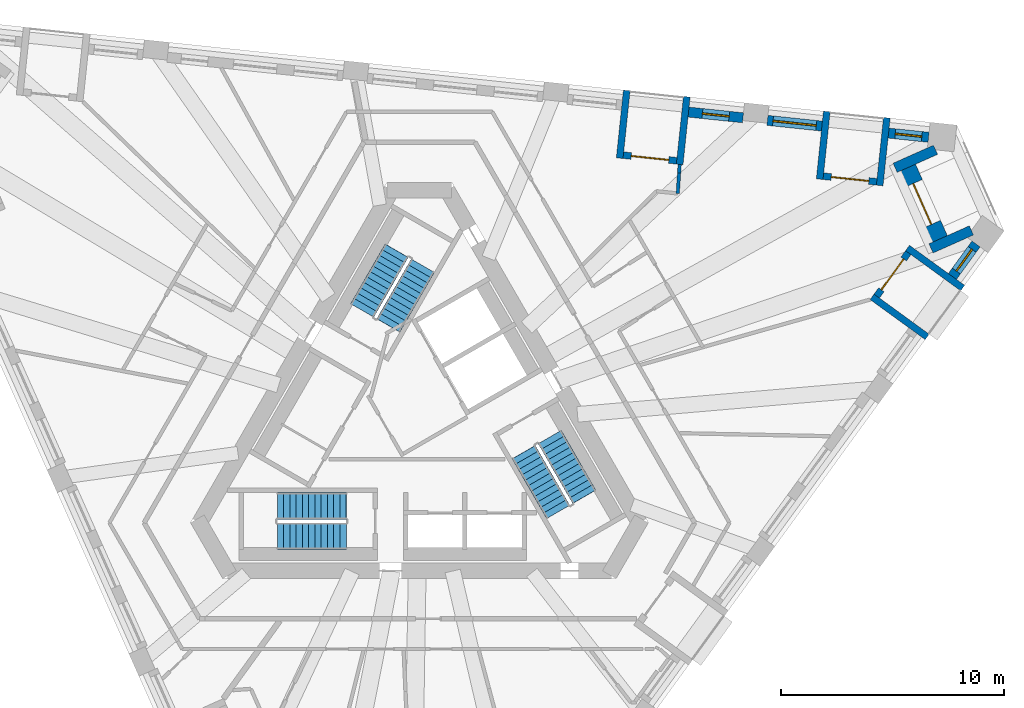
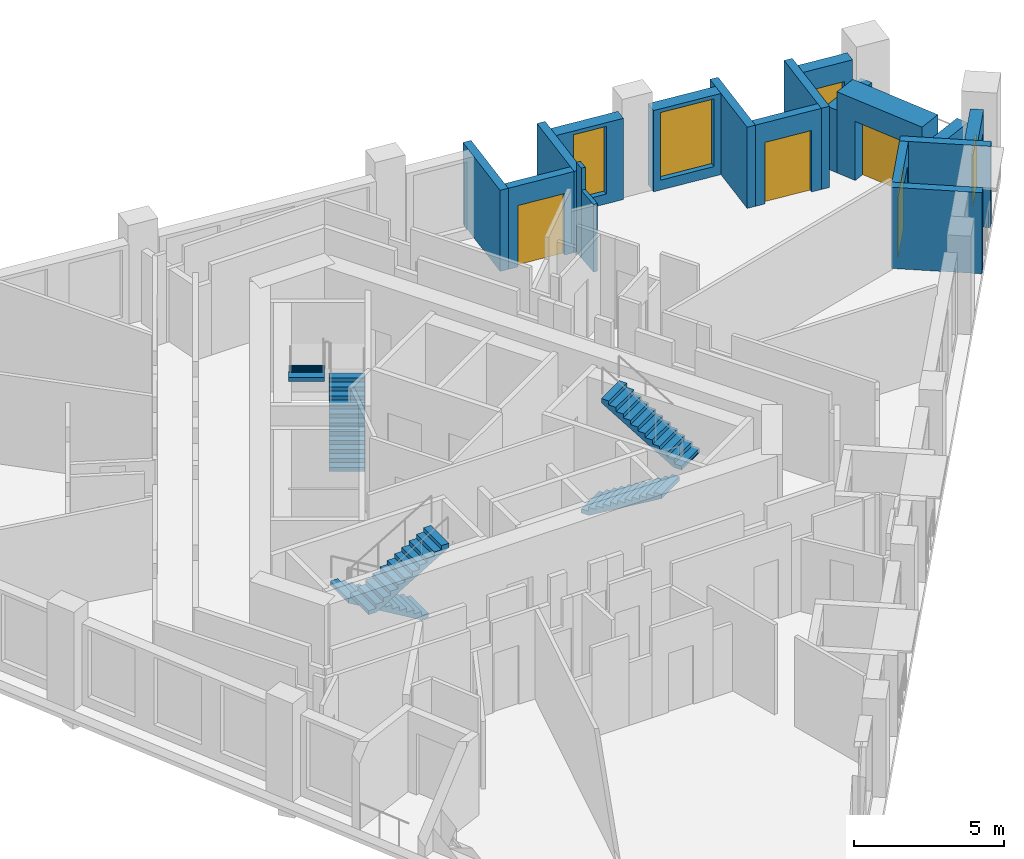
# One storey, part 8 of 11: 18 walls, 6 stair flights, 4 doors, 4 windows, 8 openings, 3 elements without a shape of their own.
"""IFC4 building model written with IfcOpenShell, lengths in metres."""

from ifc_helpers import new_model, si_unit, direction, frame, frame_2d, origin, place, context, subcontext, project, spatial, polyline, rectangle, outline, extrude, material, layer, layer_set, type_object, element, fill, aggregate, save


model = new_model("IFC4")

# Units and contexts
model_context = context("Model", 3, precision=1e-05, world=origin(), true_north=direction((0.0, 1.0)))
body_context = subcontext(model_context, "Body", "Model", "MODEL_VIEW")
ifc_project = project(units=[si_unit("LENGTHUNIT", "METRE"), si_unit("AREAUNIT", "SQUARE_METRE"), si_unit("VOLUMEUNIT", "CUBIC_METRE"), si_unit("PLANEANGLEUNIT", "RADIAN"), si_unit("MASSUNIT", "GRAM", prefix="KILO")], contexts=[model_context])

# Site, building, storey
site_placement = place(None, origin())
site = spatial("IfcSite", under=ifc_project, at=site_placement, CompositionType="ELEMENT")
building_placement = place(site_placement, origin())
building = spatial("IfcBuilding", under=site, at=building_placement, Name="Tramontana Tower", CompositionType="ELEMENT")
storey_placement = place(building_placement, frame((0.0, 0.0, 257.199951171875)))
storey = spatial("IfcBuildingStorey", under=building, at=storey_placement, Name="L60", CompositionType="ELEMENT", Elevation=257.199951171875)

# Wall, opening, window
ifc_material_1 = material(Name="Precast concrete 60 MPa", Category="concrete")
ifc_layer_1 = layer(ifc_material_1, 0.449951171875)
ifc_layer_set_1 = layer_set([ifc_layer_1], Name="Precast concrete 60 MPa, 450 mm")
wall_type_1 = type_object("IfcWallType", Name="EW1 Stone-faced precast wall 450", PredefinedType="SOLIDWALL", material=ifc_layer_set_1)
wall_1_placement = place(storey_placement, frame((23.868408203125, 6.77978515625, 0.0), z_axis=(0.0, 0.0, 1.0), x_axis=(0.587793056764, 0.809011324037, 0.0)))
wall_1 = element("IfcWall", 1, at=wall_1_placement, inside=storey, type_object=wall_type_1, Name="External wall L60 face 1 bay 5", PredefinedType="SOLIDWALL", context=body_context, shape_type="SweptSolid", body=[
    extrude(rectangle(XDim=1.80224609375, YDim=0.449951171875, at=frame_2d((0.901123046875, 0.0))), origin(), (0.0, 0.0, 1.0), 3.300048828125),
])
opening_1_placement = place(wall_1_placement, frame((0.301025390625, 0.0, 0.39990234375)))
opening_1 = element("IfcOpeningElement", 2, at=opening_1_placement, cuts=wall_1, Name="Opening N3L", PredefinedType="OPENING", context=body_context, shape_type="SweptSolid", body=[
    extrude(rectangle(XDim=1.199951171875, YDim=2.10009765625, at=frame_2d((0.60009765625, 1.050048828125))), frame((0.0, 0.23486328125, 0.0), z_axis=(0.0, -1.0, 0.0), x_axis=(1.0, 0.0, 0.0)), (0.0, 0.0, 1.0), 0.469970703125),
])
ifc_material_2 = material(Name="Aluminum frame, double glazing unit", Category="aluminium")
window_type_1 = type_object("IfcWindowType", Name="N3L Window 1.2 x 2.1", PartitioningType="SINGLE_PANEL", PredefinedType="WINDOW", material=ifc_material_2)
window_1_placement = place(opening_1_placement, origin())
window_1 = element("IfcWindow", 3, at=window_1_placement, inside=storey, type_object=window_type_1, Name="Window N3L L60 face 1 module 15", OverallHeight=2.10009765625, OverallWidth=1.199951171875, PartitioningType="SINGLE_PANEL", PredefinedType="WINDOW", context=body_context, shape_type="SweptSolid", body=[
    extrude(rectangle(XDim=1.199951171875, YDim=2.10009765625, at=frame_2d((0.60009765625, 1.050048828125))), frame((0.0, 0.030029296875, 0.0), z_axis=(0.0, -1.0, 0.0), x_axis=(1.0, 0.0, 0.0)), (0.0, 0.0, 1.0), 0.06005859375),
])
fill(opening_1, window_1)

wall_2_placement = place(storey_placement, frame((22.8017578125, 13.012939453125, 0.0), z_axis=(0.0, 0.0, 1.0), x_axis=(-0.994529922737, 0.104452059724, 0.0)))
wall_2 = element("IfcWall", 4, at=wall_2_placement, inside=storey, type_object=wall_type_1, Name="External wall L60 face 2 bay 1", PredefinedType="SOLIDWALL", context=body_context, shape_type="SweptSolid", body=[
    extrude(rectangle(XDim=1.802001953125, YDim=0.449951171875, at=frame_2d((0.90087890625, 0.0))), origin(), (0.0, 0.0, 1.0), 3.300048828125),
])
opening_2_placement = place(wall_2_placement, frame((0.301025390625, 0.0, 0.39990234375)))
opening_2 = element("IfcOpeningElement", 5, at=opening_2_placement, cuts=wall_2, Name="Opening N3L", PredefinedType="OPENING", context=body_context, shape_type="SweptSolid", body=[
    extrude(rectangle(XDim=1.199951171875, YDim=2.10009765625, at=frame_2d((0.60009765625, 1.050048828125))), frame((0.0, 0.23486328125, 0.0), z_axis=(0.0, -1.0, 0.0), x_axis=(1.0, 0.0, 0.0)), (0.0, 0.0, 1.0), 0.469970703125),
])
window_2_placement = place(opening_2_placement, origin())
window_2 = element("IfcWindow", 6, at=window_2_placement, inside=storey, type_object=window_type_1, Name="Window N3L L60 face 2 module 1", OverallHeight=2.10009765625, OverallWidth=1.199951171875, PartitioningType="SINGLE_PANEL", PredefinedType="WINDOW", context=body_context, shape_type="SweptSolid", body=[
    extrude(rectangle(XDim=1.199951171875, YDim=2.10009765625, at=frame_2d((0.60009765625, 1.050048828125))), frame((0.0, 0.030029296875, 0.0), z_axis=(0.0, -1.0, 0.0), x_axis=(1.0, 0.0, 0.0)), (0.0, 0.0, 1.0), 0.06005859375),
])
fill(opening_2, window_2)

wall_3_placement = place(storey_placement, frame((18.023681640625, 13.51513671875, 0.0), z_axis=(0.0, 0.0, 1.0), x_axis=(-0.994520717537, 0.104539668977, 0.0)))
wall_3 = element("IfcWall", 7, at=wall_3_placement, inside=storey, type_object=wall_type_1, Name="External wall L60 face 2 bay 1", PredefinedType="SOLIDWALL", context=body_context, shape_type="SweptSolid", body=[
    extrude(rectangle(XDim=2.4521484375, YDim=0.449951171875, at=frame_2d((1.22607421875, 0.0))), origin(), (0.0, 0.0, 1.0), 3.300048828125),
])
opening_3_placement = place(wall_3_placement, frame((0.251220703125, 0.0, 0.39990234375)))
opening_3 = element("IfcOpeningElement", 8, at=opening_3_placement, cuts=wall_3, Name="Opening M3", PredefinedType="OPENING", context=body_context, shape_type="SweptSolid", body=[
    extrude(rectangle(XDim=1.949951171875, YDim=2.75, at=frame_2d((0.97509765625, 1.375))), frame((0.0, 0.23486328125, 0.0), z_axis=(0.0, -1.0, 0.0), x_axis=(1.0, 0.0, 0.0)), (0.0, 0.0, 1.0), 0.469970703125),
])
ifc_material_3 = material(Name="Aluminum frame, double glazing unit", Category="aluminium")
window_type_2 = type_object("IfcWindowType", Name="M3 Window 1.95 x 2.75", PartitioningType="SINGLE_PANEL", PredefinedType="WINDOW", material=ifc_material_3)
window_3_placement = place(opening_3_placement, origin())
window_3 = element("IfcWindow", 9, at=window_3_placement, inside=storey, type_object=window_type_2, Name="Window M3 L60 face 2 module 3", OverallHeight=2.75, OverallWidth=1.949951171875, PartitioningType="SINGLE_PANEL", PredefinedType="WINDOW", context=body_context, shape_type="SweptSolid", body=[
    extrude(rectangle(XDim=1.949951171875, YDim=2.75, at=frame_2d((0.97509765625, 1.375))), frame((0.0, 0.030029296875, 0.0), z_axis=(0.0, -1.0, 0.0), x_axis=(1.0, 0.0, 0.0)), (0.0, 0.0, 1.0), 0.06005859375),
])
fill(opening_3, window_3)

wall_4_placement = place(storey_placement, frame((14.490966796875, 13.886474609375, 0.0), z_axis=(0.0, 0.0, 1.0), x_axis=(-0.99453214974, 0.104430853361, 0.0)))
wall_4 = element("IfcWall", 10, at=wall_4_placement, inside=storey, type_object=wall_type_1, Name="External wall L60 face 2 bay 2", PredefinedType="SOLIDWALL", context=body_context, shape_type="SweptSolid", body=[
    extrude(rectangle(XDim=2.452392578125, YDim=0.449951171875, at=frame_2d((1.22607421875, 0.0))), origin(), (0.0, 0.0, 1.0), 3.300048828125),
])
opening_4_placement = place(wall_4_placement, frame((0.626220703125, 0.0, 0.39990234375)))
opening_4 = element("IfcOpeningElement", 11, at=opening_4_placement, cuts=wall_4, Name="Opening N3", PredefinedType="OPENING", context=body_context, shape_type="SweptSolid", body=[
    extrude(rectangle(XDim=1.199951171875, YDim=2.75, at=frame_2d((0.60009765625, 1.375))), frame((0.0, 0.23486328125, 0.0), z_axis=(0.0, -1.0, 0.0), x_axis=(1.0, 0.0, 0.0)), (0.0, 0.0, 1.0), 0.469970703125),
])
ifc_material_4 = material(Name="Aluminum frame, double glazing unit", Category="aluminium")
window_type_3 = type_object("IfcWindowType", Name="N3 Window 1.2 x 2.75", PartitioningType="SINGLE_PANEL", PredefinedType="WINDOW", material=ifc_material_4)
window_4_placement = place(opening_4_placement, origin())
window_4 = element("IfcWindow", 12, at=window_4_placement, inside=storey, type_object=window_type_3, Name="Window N3 L60 face 2 module 4", OverallHeight=2.75, OverallWidth=1.199951171875, PartitioningType="SINGLE_PANEL", PredefinedType="WINDOW", context=body_context, shape_type="SweptSolid", body=[
    extrude(rectangle(XDim=1.199951171875, YDim=2.75, at=frame_2d((0.60009765625, 1.375))), frame((0.0, 0.030029296875, 0.0), z_axis=(0.0, -1.0, 0.0), x_axis=(1.0, 0.0, 0.0)), (0.0, 0.0, 1.0), 0.06005859375),
])
fill(opening_4, window_4)

# Walls
for number, where, z_axis, x_axis, name in (
    (13, (23.112548828125, 12.452392578125, 0.0), (0.0, 0.0, 1.0), (-0.913516289312, -0.406802149899, 0.0), "Corner loggia side wall L60 K62l"),
    (14, (24.71923828125, 8.84375, 0.0), (0.0, 0.0, 1.0), (-0.913562124494, -0.406699206651, 0.0), "Corner loggia side wall L60 K62r"),
):
    element("IfcWall", number, at=place(storey_placement, frame(where, z_axis=z_axis, x_axis=x_axis)), inside=storey, type_object=wall_type_1, Name=name, PredefinedType="SOLIDWALL", context=body_context, shape_type="SweptSolid", body=[
        extrude(rectangle(XDim=1.979248046875, YDim=0.449951171875, at=frame_2d((0.98974609375, 0.0))), origin(), (0.0, 0.0, 1.0), 2.550048828125),
    ])

# Wall, opening, door
ifc_material_5 = material(Name="Precast concrete 60 MPa", Category="concrete")
ifc_layer_2 = layer(ifc_material_5, 0.89990234375)
ifc_layer_set_2 = layer_set([ifc_layer_2], Name="EW2 Stone-faced corner loggia wall 900")
wall_type_2 = type_object("IfcWallType", Name="EW2 Stone-faced corner loggia wall 900", PredefinedType="SOLIDWALL", material=ifc_layer_set_2)
wall_5_placement = place(storey_placement, frame((21.80712890625, 11.624755859375, 0.0), z_axis=(0.0, 0.0, 1.0), x_axis=(0.406727323635, -0.913549606868, 0.0)))
wall_5 = element("IfcWall", 15, at=wall_5_placement, inside=storey, type_object=wall_type_2, Name="Corner loggia wall L60 K62", PredefinedType="SOLIDWALL", context=body_context, shape_type="SweptSolid", body=[
    extrude(rectangle(XDim=3.5, YDim=0.89990234375, at=frame_2d((1.75, 0.0))), origin(), (0.0, 0.0, 1.0), 3.300048828125),
])
opening_5_placement = place(wall_5_placement, frame((0.75, 0.0, 0.0)))
opening_5 = element("IfcOpeningElement", 16, at=opening_5_placement, cuts=wall_5, Name="Opening BD-62C", PredefinedType="OPENING", context=body_context, shape_type="SweptSolid", body=[
    extrude(rectangle(XDim=2.0, YDim=2.39990234375, at=frame_2d((1.0, 1.199951171875))), frame((0.0, 0.4599609375, 0.0), z_axis=(0.0, -1.0, 0.0), x_axis=(1.0, 0.0, 0.0)), (0.0, 0.0, 1.0), 0.919921875),
])
ifc_material_6 = material(Name="Aluminum frame, double glazing unit", Category="aluminium")
door_type_1 = type_object("IfcDoorType", Name="BC1 Sliding door 2 x 2.4", OperationType="SLIDING_TO_LEFT", PredefinedType="DOOR", material=ifc_material_6)
door_1_placement = place(opening_5_placement, origin())
door_1 = element("IfcDoor", 17, at=door_1_placement, inside=storey, type_object=door_type_1, Name="Corner loggia door L60 K62", OperationType="SLIDING_TO_LEFT", OverallHeight=2.39990234375, OverallWidth=2.0, PredefinedType="DOOR", context=body_context, shape_type="SweptSolid", body=[
    extrude(rectangle(XDim=2.0, YDim=2.39990234375, at=frame_2d((1.0, 1.199951171875))), frame((0.0, 0.02490234375, 0.0), z_axis=(0.0, -1.0, 0.0), x_axis=(1.0, 0.0, 0.0)), (0.0, 0.0, 1.0), 0.050048828125),
])
fill(opening_5, door_1)

ifc_material_7 = material(Name="Precast concrete 60 MPa", Category="concrete")
ifc_layer_3 = layer(ifc_material_7, 0.300048828125)
ifc_layer_set_3 = layer_set([ifc_layer_3], Name="LW1 Stone-faced loggia wall 300")
wall_type_3 = type_object("IfcWallType", Name="LW1 Stone-faced loggia wall 300", PredefinedType="SOLIDWALL", material=ifc_layer_set_3)
wall_6_placement = place(storey_placement, frame((20.47998046875, 5.9013671875, 0.0), z_axis=(0.0, 0.0, 1.0), x_axis=(0.587833242688, 0.808982125137, 0.0)))
wall_6 = element("IfcWall", 18, at=wall_6_placement, inside=storey, type_object=wall_type_3, Name="Loggia wall L60 G6S1.13", PredefinedType="SOLIDWALL", context=body_context, shape_type="SweptSolid", body=[
    extrude(rectangle(XDim=2.40234375, YDim=0.300048828125, at=frame_2d((1.201171875, 0.0))), origin(), (0.0, 0.0, 1.0), 3.300048828125),
])
opening_6_placement = place(wall_6_placement, frame((0.35107421875, 0.0, 0.0)))
opening_6 = element("IfcOpeningElement", 19, at=opening_6_placement, cuts=wall_6, Name="Opening BD-6S1-13", PredefinedType="OPENING", context=body_context, shape_type="SweptSolid", body=[
    extrude(rectangle(XDim=1.699951171875, YDim=2.5, at=frame_2d((0.85009765625, 1.25))), frame((0.0, 0.159912109375, 0.0), z_axis=(0.0, -1.0, 0.0), x_axis=(1.0, 0.0, 0.0)), (0.0, 0.0, 1.0), 0.320068359375),
])
ifc_material_8 = material(Name="Aluminum frame, double glazing unit", Category="aluminium")
door_type_2 = type_object("IfcDoorType", Name="BD3 Sliding door 1.7 x 2.5", OperationType="SLIDING_TO_LEFT", PredefinedType="DOOR", material=ifc_material_8)
door_2_placement = place(opening_6_placement, origin())
door_2 = element("IfcDoor", 20, at=door_2_placement, inside=storey, type_object=door_type_2, Name="Loggia door L60 G6S1.13", OperationType="SLIDING_TO_LEFT", OverallHeight=2.5, OverallWidth=1.699951171875, PredefinedType="DOOR", context=body_context, shape_type="SweptSolid", body=[
    extrude(rectangle(XDim=1.699951171875, YDim=2.5, at=frame_2d((0.85009765625, 1.25))), frame((0.0, 0.02490234375, 0.0), z_axis=(0.0, -1.0, 0.0), x_axis=(1.0, 0.0, 0.0)), (0.0, 0.0, 1.0), 0.050048828125),
])
fill(opening_6, door_2)

# Walls
for number, where, z_axis, x_axis, name in (
    (21, (22.738037109375, 4.075439453125, 0.0), (0.0, 0.0, 1.0), (-0.80902328748, 0.587776590479, 0.0), "Loggia return L60 G6S1.13a"),
    (22, (24.326416015625, 6.261474609375, 0.0), (0.0, 0.0, 1.0), (-0.808985223782, 0.587828978278, 0.0), "Loggia return L60 G6S1.13b"),
):
    element("IfcWall", number, at=place(storey_placement, frame(where, z_axis=z_axis, x_axis=x_axis)), inside=storey, type_object=wall_type_3, Name=name, PredefinedType="SOLIDWALL", context=body_context, shape_type="SweptSolid", body=[
        extrude(rectangle(XDim=3.050048828125, YDim=0.300048828125, at=frame_2d((1.52490234375, 0.0))), origin(), (0.0, 0.0, 1.0), 3.300048828125),
    ])

# Wall, opening, door
wall_7_placement = place(storey_placement, frame((20.478515625, 11.019775390625, 0.0), z_axis=(0.0, 0.0, 1.0), x_axis=(-0.994517140727, 0.104573690763, 0.0)))
wall_7 = element("IfcWall", 23, at=wall_7_placement, inside=storey, type_object=wall_type_3, Name="Loggia wall L60 G6S2.1", PredefinedType="SOLIDWALL", context=body_context, shape_type="SweptSolid", body=[
    extrude(rectangle(XDim=2.40234375, YDim=0.300048828125, at=frame_2d((1.201171875, 0.0))), origin(), (0.0, 0.0, 1.0), 3.300048828125),
])
opening_7_placement = place(wall_7_placement, frame((0.35107421875, 0.0, 0.0)))
opening_7 = element("IfcOpeningElement", 24, at=opening_7_placement, cuts=wall_7, Name="Opening BD-6S2-01", PredefinedType="OPENING", context=body_context, shape_type="SweptSolid", body=[
    extrude(rectangle(XDim=1.699951171875, YDim=2.5, at=frame_2d((0.85009765625, 1.25))), frame((0.0, 0.159912109375, 0.0), z_axis=(0.0, -1.0, 0.0), x_axis=(1.0, 0.0, 0.0)), (0.0, 0.0, 1.0), 0.320068359375),
])
door_3_placement = place(opening_7_placement, origin())
door_3 = element("IfcDoor", 25, at=door_3_placement, inside=storey, type_object=door_type_2, Name="Loggia door L60 G6S2.1", OperationType="SLIDING_TO_LEFT", OverallHeight=2.5, OverallWidth=1.699951171875, PredefinedType="DOOR", context=body_context, shape_type="SweptSolid", body=[
    extrude(rectangle(XDim=1.699951171875, YDim=2.5, at=frame_2d((0.85009765625, 1.25))), frame((0.0, 0.02490234375, 0.0), z_axis=(0.0, -1.0, 0.0), x_axis=(1.0, 0.0, 0.0)), (0.0, 0.0, 1.0), 0.050048828125),
])
fill(opening_7, door_3)

# Walls
for number, where, z_axis, x_axis, name in (
    (26, (20.930908203125, 13.88818359375, 0.0), (0.0, 0.0, 1.0), (-0.104543108891, -0.994520355942, 0.0), "Loggia return L60 G6S2.1a"),
    (27, (18.243408203125, 14.170654296875, 0.0), (0.0, 0.0, 1.0), (-0.104543108891, -0.994520355942, 0.0), "Loggia return L60 G6S2.1b"),
):
    element("IfcWall", number, at=place(storey_placement, frame(where, z_axis=z_axis, x_axis=x_axis)), inside=storey, type_object=wall_type_3, Name=name, PredefinedType="SOLIDWALL", context=body_context, shape_type="SweptSolid", body=[
        extrude(rectangle(XDim=3.0498046875, YDim=0.300048828125, at=frame_2d((1.52490234375, 0.0))), origin(), (0.0, 0.0, 1.0), 3.300048828125),
    ])

# Wall, opening, door
wall_8_placement = place(storey_placement, frame((11.521240234375, 11.961181640625, 0.0), z_axis=(0.0, 0.0, 1.0), x_axis=(-0.994517140727, 0.104573690763, 0.0)))
wall_8 = element("IfcWall", 28, at=wall_8_placement, inside=storey, type_object=wall_type_3, Name="Loggia wall L60 G6S2.4", PredefinedType="SOLIDWALL", context=body_context, shape_type="SweptSolid", body=[
    extrude(rectangle(XDim=2.40234375, YDim=0.300048828125, at=frame_2d((1.201171875, 0.0))), origin(), (0.0, 0.0, 1.0), 3.300048828125),
])
opening_8_placement = place(wall_8_placement, frame((0.35107421875, 0.0, 0.0)))
opening_8 = element("IfcOpeningElement", 29, at=opening_8_placement, cuts=wall_8, Name="Opening BD-6S2-04", PredefinedType="OPENING", context=body_context, shape_type="SweptSolid", body=[
    extrude(rectangle(XDim=1.699951171875, YDim=2.5, at=frame_2d((0.85009765625, 1.25))), frame((0.0, 0.159912109375, 0.0), z_axis=(0.0, -1.0, 0.0), x_axis=(1.0, 0.0, 0.0)), (0.0, 0.0, 1.0), 0.320068359375),
])
door_4_placement = place(opening_8_placement, origin())
door_4 = element("IfcDoor", 30, at=door_4_placement, inside=storey, type_object=door_type_2, Name="Loggia door L60 G6S2.4", OperationType="SLIDING_TO_LEFT", OverallHeight=2.5, OverallWidth=1.699951171875, PredefinedType="DOOR", context=body_context, shape_type="SweptSolid", body=[
    extrude(rectangle(XDim=1.699951171875, YDim=2.5, at=frame_2d((0.85009765625, 1.25))), frame((0.0, 0.02490234375, 0.0), z_axis=(0.0, -1.0, 0.0), x_axis=(1.0, 0.0, 0.0)), (0.0, 0.0, 1.0), 0.050048828125),
])
fill(opening_8, door_4)

# Walls
for number, where, z_axis, x_axis, name in (
    (31, (11.973388671875, 14.82958984375, 0.0), (0.0, 0.0, 1.0), (-0.104463934444, -0.994528675504, 0.0), "Loggia return L60 G6S2.4a"),
    (32, (9.2861328125, 15.112060546875, 0.0), (0.0, 0.0, 1.0), (-0.104543108891, -0.994520355942, 0.0), "Loggia return L60 G6S2.4b"),
):
    element("IfcWall", number, at=place(storey_placement, frame(where, z_axis=z_axis, x_axis=x_axis)), inside=storey, type_object=wall_type_3, Name=name, PredefinedType="SOLIDWALL", context=body_context, shape_type="SweptSolid", body=[
        extrude(rectangle(XDim=3.0498046875, YDim=0.300048828125, at=frame_2d((1.52490234375, 0.0))), origin(), (0.0, 0.0, 1.0), 3.300048828125),
    ])
ifc_material_9 = material(Name="Gypsum board partition")
ifc_layer_4 = layer(ifc_material_9, 0.14990234375)
ifc_layer_set_4 = layer_set([ifc_layer_4], Name="PARTITION 150")
wall_type_4 = type_object("IfcWallType", Name="PARTITION 150", PredefinedType="PARTITIONING", material=ifc_layer_set_4)
wall_9_placement = place(storey_placement, frame((11.56884765625, 10.5, 0.0), z_axis=(0.0, 0.0, 1.0), x_axis=(0.065954162618, 0.997822653798, 0.0)))
element("IfcWall", 33, at=wall_9_placement, inside=storey, type_object=wall_type_4, Name="Wall v61-pw36-0", PredefinedType="PARTITIONING", context=body_context, shape_type="SweptSolid", body=[
    extrude(rectangle(XDim=0.91796875, YDim=0.14990234375, at=frame_2d((0.458984375, 0.0))), origin(), (0.0, 0.0, 1.0), 2.75),
])
wall_10_placement = place(storey_placement, frame((11.62939453125, 11.416015625, 0.0), z_axis=(0.0, 0.0, 1.0), x_axis=(0.066604022224, 0.997779486772, 0.0)))
element("IfcWall", 34, at=wall_10_placement, inside=storey, type_object=wall_type_4, Name="Wall v61-pw36-1", PredefinedType="PARTITIONING", context=body_context, shape_type="SweptSolid", body=[
    extrude(rectangle(XDim=0.381103515625, YDim=0.14990234375, at=frame_2d((0.1904296875, 0.0))), origin(), (0.0, 0.0, 1.0), 3.650146484375),
])

# Stair, stair flights
ifc_material_10 = material(Name="Concrete 40 MPa", Category="concrete")
stair_type = type_object("IfcStairType", Name="EXIT STAIR 24 RISERS", PredefinedType="HALF_TURN_STAIR", material=ifc_material_10)
stair_1_placement = place(storey_placement, origin())
stair_1 = element("IfcStair", 35, at=stair_1_placement, inside=storey, type_object=stair_type, Name="L60 Exit stair ST1", PredefinedType="HALF_TURN_STAIR")
ifc_material_11 = material(Name="Concrete 40 MPa", Category="concrete")
ifc_layer_5 = layer(ifc_material_11, 0.14990234375)
ifc_layer_set_5 = layer_set([ifc_layer_5], Name="EXIT STAIR FLIGHT")
stair_flight_type = type_object("IfcStairFlightType", Name="EXIT STAIR FLIGHT", PredefinedType="STRAIGHT", material=ifc_layer_set_5)
stair_flight_1_placement = place(storey_placement, frame((-1.39111328125, 4.590576171875, 0.0), z_axis=(0.0, 0.0, 1.0), x_axis=(0.5, 0.866025403784, 0.0)))
stair_flight_1 = element("IfcStairFlight", 36, at=stair_flight_1_placement, type_object=stair_flight_type, Name="ST1 flight 1", NumberOfRisers=12, NumberOfTreads=11, PredefinedType="STRAIGHT", RiserHeight=0.166666667, TreadLength=0.28, context=body_context, shape_type="SweptSolid", body=[
    extrude(outline(polyline([(-0.006103515625, 0.0), (-0.006103515625, 0.0400390625), (0.0, 0.0400390625), (0.0, 0.166748046875), (0.280029296875, 0.166748046875), (0.280029296875, 0.333251953125), (0.56005859375, 0.333251953125), (0.56005859375, 0.5), (0.840087890625, 0.5), (0.840087890625, 0.666748046875), (1.1201171875, 0.666748046875), (1.1201171875, 0.833251953125), (1.39990234375, 0.833251953125), (1.39990234375, 1.0), (1.679931640625, 1.0), (1.679931640625, 1.166748046875), (1.9599609375, 1.166748046875), (1.9599609375, 1.333251953125), (2.239990234375, 1.333251953125), (2.239990234375, 1.5), (2.52001953125, 1.5), (2.52001953125, 1.666748046875), (2.800048828125, 1.666748046875), (2.800048828125, 1.833251953125), (3.080078125, 1.833251953125), (3.0859375, 1.833251953125), (3.0859375, 1.658935546875), (0.299072265625, 0.0), (-0.006103515625, 0.0)])), frame((0.0, 0.60009765625, 0.0), z_axis=(0.0, -1.0, 0.0), x_axis=(1.0, 0.0, 0.0)), (0.0, 0.0, 1.0), 1.199951171875),
])
stair_flight_2_placement = place(storey_placement, frame((-1.020263671875, 7.932861328125, 2.0), z_axis=(0.0, 0.0, 1.0), x_axis=(-0.5, -0.866025403784, 0.0)))
stair_flight_2 = element("IfcStairFlight", 37, at=stair_flight_2_placement, type_object=stair_flight_type, Name="ST1 flight 2", NumberOfRisers=12, NumberOfTreads=11, PredefinedType="STRAIGHT", RiserHeight=0.166666667, TreadLength=0.28, context=body_context, shape_type="SweptSolid", body=[
    extrude(outline(polyline([(-0.006103515625, 0.0), (-0.006103515625, 0.0400390625), (0.0, 0.0400390625), (0.0, 0.166748046875), (0.280029296875, 0.166748046875), (0.280029296875, 0.333251953125), (0.56005859375, 0.333251953125), (0.56005859375, 0.5), (0.840087890625, 0.5), (0.840087890625, 0.666748046875), (1.1201171875, 0.666748046875), (1.1201171875, 0.833251953125), (1.39990234375, 0.833251953125), (1.39990234375, 1.0), (1.679931640625, 1.0), (1.679931640625, 1.166748046875), (1.9599609375, 1.166748046875), (1.9599609375, 1.333251953125), (2.239990234375, 1.333251953125), (2.239990234375, 1.5), (2.52001953125, 1.5), (2.52001953125, 1.666748046875), (2.800048828125, 1.666748046875), (2.800048828125, 1.833251953125), (3.080078125, 1.833251953125), (3.0859375, 1.833251953125), (3.0859375, 1.658935546875), (0.299072265625, 0.0), (-0.006103515625, 0.0)])), frame((0.0, 0.60009765625, 0.0), z_axis=(0.0, -1.0, 0.0), x_axis=(1.0, 0.0, 0.0)), (0.0, 0.0, 1.0), 1.199951171875),
])
aggregate(stair_1, [stair_flight_1, stair_flight_2])

stair_2_placement = place(storey_placement, origin())
stair_2 = element("IfcStair", 38, at=stair_2_placement, inside=storey, type_object=stair_type, Name="L60 Exit stair ST2", PredefinedType="HALF_TURN_STAIR")
stair_flight_3_placement = place(storey_placement, frame((-3.280029296875, -3.5, 0.0), z_axis=(0.0, 0.0, 1.0), x_axis=(-1.0, 0.0, 0.0)))
stair_flight_3 = element("IfcStairFlight", 39, at=stair_flight_3_placement, type_object=stair_flight_type, Name="ST2 flight 1", NumberOfRisers=12, NumberOfTreads=11, PredefinedType="STRAIGHT", RiserHeight=0.166666667, TreadLength=0.28, context=body_context, shape_type="SweptSolid", body=[
    extrude(outline(polyline([(-0.006103515625, 0.0), (-0.006103515625, 0.0400390625), (0.0, 0.0400390625), (0.0, 0.166748046875), (0.280029296875, 0.166748046875), (0.280029296875, 0.333251953125), (0.56005859375, 0.333251953125), (0.56005859375, 0.5), (0.840087890625, 0.5), (0.840087890625, 0.666748046875), (1.1201171875, 0.666748046875), (1.1201171875, 0.833251953125), (1.39990234375, 0.833251953125), (1.39990234375, 1.0), (1.679931640625, 1.0), (1.679931640625, 1.166748046875), (1.9599609375, 1.166748046875), (1.9599609375, 1.333251953125), (2.239990234375, 1.333251953125), (2.239990234375, 1.5), (2.52001953125, 1.5), (2.52001953125, 1.666748046875), (2.800048828125, 1.666748046875), (2.800048828125, 1.833251953125), (3.080078125, 1.833251953125), (3.0859375, 1.833251953125), (3.0859375, 1.658935546875), (0.299072265625, 0.0), (-0.006103515625, 0.0)])), frame((0.0, 0.60009765625, 0.0), z_axis=(0.0, -1.0, 0.0), x_axis=(1.0, 0.0, 0.0)), (0.0, 0.0, 1.0), 1.199951171875),
])
stair_flight_4_placement = place(storey_placement, frame((-6.360107421875, -4.85009765625, 2.0), z_axis=(0.0, 0.0, 1.0), x_axis=(1.0, 0.0, 0.0)))
stair_flight_4 = element("IfcStairFlight", 40, at=stair_flight_4_placement, type_object=stair_flight_type, Name="ST2 flight 2", NumberOfRisers=12, NumberOfTreads=11, PredefinedType="STRAIGHT", RiserHeight=0.166666667, TreadLength=0.28, context=body_context, shape_type="SweptSolid", body=[
    extrude(outline(polyline([(-0.006103515625, 0.0), (-0.006103515625, 0.0400390625), (0.0, 0.0400390625), (0.0, 0.166748046875), (0.280029296875, 0.166748046875), (0.280029296875, 0.333251953125), (0.56005859375, 0.333251953125), (0.56005859375, 0.5), (0.840087890625, 0.5), (0.840087890625, 0.666748046875), (1.1201171875, 0.666748046875), (1.1201171875, 0.833251953125), (1.39990234375, 0.833251953125), (1.39990234375, 1.0), (1.679931640625, 1.0), (1.679931640625, 1.166748046875), (1.9599609375, 1.166748046875), (1.9599609375, 1.333251953125), (2.239990234375, 1.333251953125), (2.239990234375, 1.5), (2.52001953125, 1.5), (2.52001953125, 1.666748046875), (2.800048828125, 1.666748046875), (2.800048828125, 1.833251953125), (3.080078125, 1.833251953125), (3.0859375, 1.833251953125), (3.0859375, 1.658935546875), (0.299072265625, 0.0), (-0.006103515625, 0.0)])), frame((0.0, 0.60009765625, 0.0), z_axis=(0.0, -1.0, 0.0), x_axis=(1.0, 0.0, 0.0)), (0.0, 0.0, 1.0), 1.199951171875),
])
aggregate(stair_2, [stair_flight_3, stair_flight_4])

stair_3_placement = place(storey_placement, origin())
stair_3 = element("IfcStair", 41, at=stair_3_placement, inside=storey, type_object=stair_type, Name="L60 Exit stair ST3", PredefinedType="HALF_TURN_STAIR")
stair_flight_5_placement = place(storey_placement, frame((4.671142578125, -1.090576171875, 0.0), z_axis=(0.0, 0.0, 1.0), x_axis=(0.5, -0.866025403784, 0.0)))
stair_flight_5 = element("IfcStairFlight", 42, at=stair_flight_5_placement, type_object=stair_flight_type, Name="ST3 flight 1", NumberOfRisers=12, NumberOfTreads=11, PredefinedType="STRAIGHT", RiserHeight=0.166666667, TreadLength=0.28, context=body_context, shape_type="SweptSolid", body=[
    extrude(outline(polyline([(-0.006103515625, 0.0), (-0.006103515625, 0.0400390625), (0.0, 0.0400390625), (0.0, 0.166748046875), (0.280029296875, 0.166748046875), (0.280029296875, 0.333251953125), (0.56005859375, 0.333251953125), (0.56005859375, 0.5), (0.840087890625, 0.5), (0.840087890625, 0.666748046875), (1.1201171875, 0.666748046875), (1.1201171875, 0.833251953125), (1.39990234375, 0.833251953125), (1.39990234375, 1.0), (1.679931640625, 1.0), (1.679931640625, 1.166748046875), (1.9599609375, 1.166748046875), (1.9599609375, 1.333251953125), (2.239990234375, 1.333251953125), (2.239990234375, 1.5), (2.52001953125, 1.5), (2.52001953125, 1.666748046875), (2.800048828125, 1.666748046875), (2.800048828125, 1.833251953125), (3.080078125, 1.833251953125), (3.0859375, 1.833251953125), (3.0859375, 1.658935546875), (0.299072265625, 0.0), (-0.006103515625, 0.0)])), frame((0.0, 0.60009765625, 0.0), z_axis=(0.0, -1.0, 0.0), x_axis=(1.0, 0.0, 0.0)), (0.0, 0.0, 1.0), 1.199951171875),
])
stair_flight_6_placement = place(storey_placement, frame((7.380126953125, -3.0830078125, 2.0), z_axis=(0.0, 0.0, 1.0), x_axis=(-0.5, 0.866025403784, 0.0)))
stair_flight_6 = element("IfcStairFlight", 43, at=stair_flight_6_placement, type_object=stair_flight_type, Name="ST3 flight 2", NumberOfRisers=12, NumberOfTreads=11, PredefinedType="STRAIGHT", RiserHeight=0.166666667, TreadLength=0.28, context=body_context, shape_type="SweptSolid", body=[
    extrude(outline(polyline([(-0.006103515625, 0.0), (-0.006103515625, 0.0400390625), (0.0, 0.0400390625), (0.0, 0.166748046875), (0.280029296875, 0.166748046875), (0.280029296875, 0.333251953125), (0.56005859375, 0.333251953125), (0.56005859375, 0.5), (0.840087890625, 0.5), (0.840087890625, 0.666748046875), (1.1201171875, 0.666748046875), (1.1201171875, 0.833251953125), (1.39990234375, 0.833251953125), (1.39990234375, 1.0), (1.679931640625, 1.0), (1.679931640625, 1.166748046875), (1.9599609375, 1.166748046875), (1.9599609375, 1.333251953125), (2.239990234375, 1.333251953125), (2.239990234375, 1.5), (2.52001953125, 1.5), (2.52001953125, 1.666748046875), (2.800048828125, 1.666748046875), (2.800048828125, 1.833251953125), (3.080078125, 1.833251953125), (3.0859375, 1.833251953125), (3.0859375, 1.658935546875), (0.299072265625, 0.0), (-0.006103515625, 0.0)])), frame((0.0, 0.60009765625, 0.0), z_axis=(0.0, -1.0, 0.0), x_axis=(1.0, 0.0, 0.0)), (0.0, 0.0, 1.0), 1.199951171875),
])
aggregate(stair_3, [stair_flight_5, stair_flight_6])

save(model, "model.ifc")
